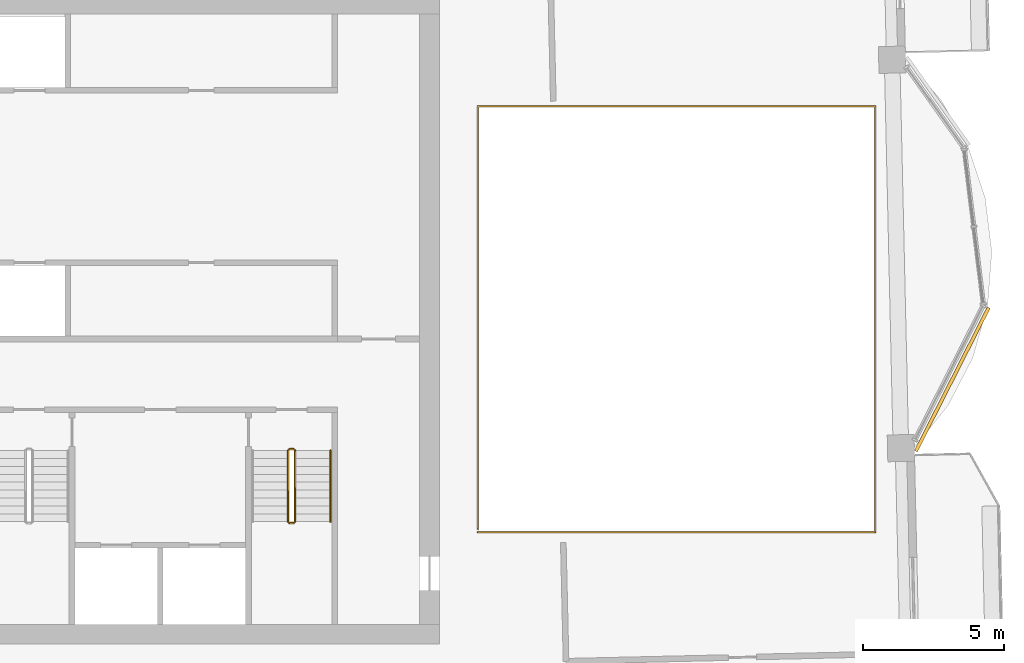
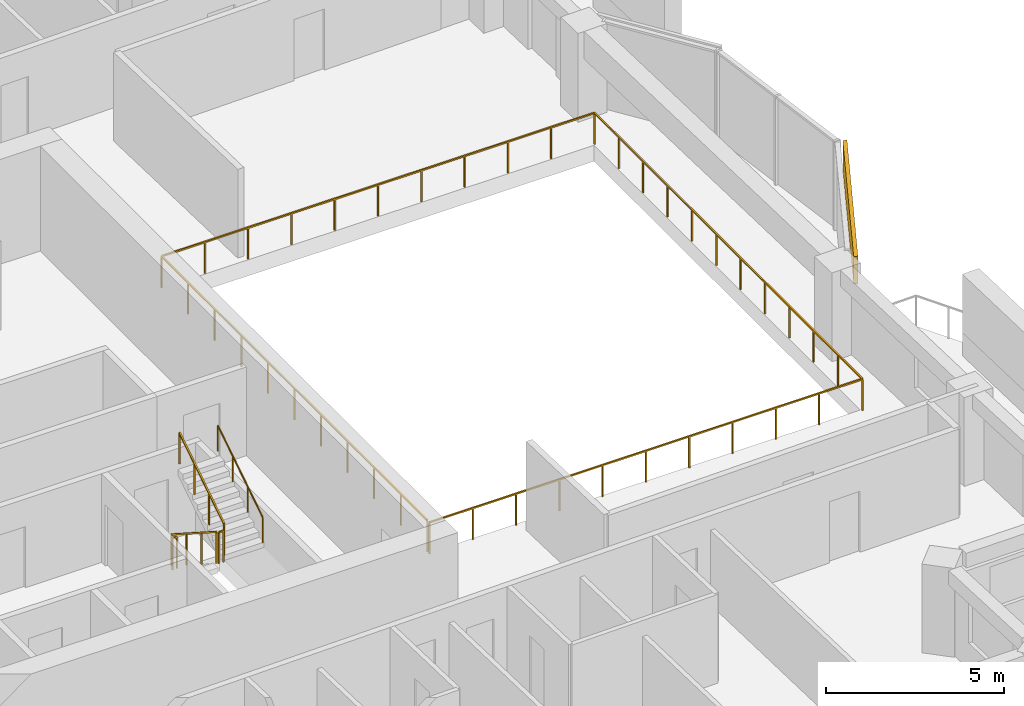
# One storey, part 17 of 18: 6 railings, 1 covering.
"""IFC4 building model written with IfcOpenShell, lengths in metres."""

from ifc_helpers import new_model, si_unit, direction, frame, frame_2d, origin, origin_2d, place, context, subcontext, project, spatial, rectangle, circle, extrude, material, layer, layer_set, type_object, element, save


model = new_model("IFC4")

# Units and contexts
model_context = context("Model", 3, precision=1e-05, world=origin(), true_north=direction((0.0, 1.0)))
body_context = subcontext(model_context, "Body", "Model", "MODEL_VIEW")
ifc_project = project(units=[si_unit("LENGTHUNIT", "METRE"), si_unit("AREAUNIT", "SQUARE_METRE"), si_unit("VOLUMEUNIT", "CUBIC_METRE"), si_unit("PLANEANGLEUNIT", "RADIAN"), si_unit("MASSUNIT", "GRAM", prefix="KILO")], contexts=[model_context])

# Site, building, storey
site_placement = place(None, origin())
site = spatial("IfcSite", under=ifc_project, at=site_placement, CompositionType="ELEMENT")
building_placement = place(site_placement, origin())
building = spatial("IfcBuilding", under=site, at=building_placement, Name="Mangrove Gate Tower", CompositionType="ELEMENT")
storey_placement = place(building_placement, frame((0.0, 0.0, 287.10009765625)))
storey = spatial("IfcBuildingStorey", under=building, at=storey_placement, Name="L73", CompositionType="ELEMENT", Elevation=287.10009765625)

# Railings
ifc_material_1 = material(Name="Stainless steel grade 316 with laminated glass infill", Category="steel")
railing_type_1 = type_object("IfcRailingType", Name="Balcony guard 1100", PredefinedType="GUARDRAIL", material=ifc_material_1)
railing_1_placement = place(storey_placement, frame((15.860107421875, -7.5400390625, 0.0)))
element("IfcRailing", 1, at=railing_1_placement, inside=storey, type_object=railing_type_1, Name="GUARD L73 atrium", PredefinedType="GUARDRAIL", context=body_context, shape_type="SweptSolid", body=[
    extrude(rectangle(XDim=0.048095703125, YDim=0.048095703125, at=origin_2d()), frame((0.0, 0.0, 1.076171875), z_axis=(1.0, 0.0, 0.0), x_axis=(0.0, 1.0, 0.0)), (0.0, 0.0, 1.0), 14.06982421875),
    extrude(rectangle(XDim=0.048095703125, YDim=0.048095703125, at=origin_2d()), frame((14.06982421875, 0.0, 1.076171875), z_axis=(0.0, 1.0, 0.0), x_axis=(-1.0, 0.0, 0.0)), (0.0, 0.0, 1.0), 15.080078125),
    extrude(rectangle(XDim=0.048095703125, YDim=0.048095703125, at=origin_2d()), frame((14.06982421875, 15.080078125, 1.076171875), z_axis=(-1.0, 0.0, 0.0), x_axis=(0.0, -1.0, 0.0)), (0.0, 0.0, 1.0), 14.06982421875),
    extrude(rectangle(XDim=0.048095703125, YDim=0.048095703125, at=origin_2d()), frame((0.0, 15.080078125, 1.076171875), z_axis=(0.0, -1.0, 0.0), x_axis=(1.0, 0.0, 0.0)), (0.0, 0.0, 1.0), 14.9599609375),
    extrude(rectangle(XDim=0.0419921875, YDim=0.0419921875, at=origin_2d()), origin(), (0.0, 0.0, 1.0), 1.052001953125),
    extrude(rectangle(XDim=0.0419921875, YDim=0.0419921875, at=origin_2d()), frame((1.406982421875, 0.0, 0.0)), (0.0, 0.0, 1.0), 1.052001953125),
    extrude(rectangle(XDim=0.0419921875, YDim=0.0419921875, at=origin_2d()), frame((2.81396484375, 0.0, 0.0)), (0.0, 0.0, 1.0), 1.052001953125),
    extrude(rectangle(XDim=0.0419921875, YDim=0.0419921875, at=origin_2d()), frame((4.220947265625, 0.0, 0.0)), (0.0, 0.0, 1.0), 1.052001953125),
    extrude(rectangle(XDim=0.0419921875, YDim=0.0419921875, at=origin_2d()), frame((5.6279296875, 0.0, 0.0)), (0.0, 0.0, 1.0), 1.052001953125),
    extrude(rectangle(XDim=0.0419921875, YDim=0.0419921875, at=origin_2d()), frame((7.034912109375, 0.0, 0.0)), (0.0, 0.0, 1.0), 1.052001953125),
    extrude(rectangle(XDim=0.0419921875, YDim=0.0419921875, at=origin_2d()), frame((8.44189453125, 0.0, 0.0)), (0.0, 0.0, 1.0), 1.052001953125),
    extrude(rectangle(XDim=0.0419921875, YDim=0.0419921875, at=origin_2d()), frame((9.848876953125, 0.0, 0.0)), (0.0, 0.0, 1.0), 1.052001953125),
    extrude(rectangle(XDim=0.0419921875, YDim=0.0419921875, at=origin_2d()), frame((11.255859375, 0.0, 0.0)), (0.0, 0.0, 1.0), 1.052001953125),
    extrude(rectangle(XDim=0.0419921875, YDim=0.0419921875, at=origin_2d()), frame((12.662841796875, 0.0, 0.0)), (0.0, 0.0, 1.0), 1.052001953125),
    extrude(rectangle(XDim=0.0419921875, YDim=0.0419921875, at=origin_2d()), frame((14.06982421875, 0.0, 0.0)), (0.0, 0.0, 1.0), 1.052001953125),
    extrude(rectangle(XDim=0.0419921875, YDim=0.0419921875, at=origin_2d()), frame((14.06982421875, 1.370849609375, 0.0)), (0.0, 0.0, 1.0), 1.052001953125),
    extrude(rectangle(XDim=0.0419921875, YDim=0.0419921875, at=origin_2d()), frame((14.06982421875, 2.741943359375, 0.0)), (0.0, 0.0, 1.0), 1.052001953125),
    extrude(rectangle(XDim=0.0419921875, YDim=0.0419921875, at=origin_2d()), frame((14.06982421875, 4.11279296875, 0.0)), (0.0, 0.0, 1.0), 1.052001953125),
    extrude(rectangle(XDim=0.0419921875, YDim=0.0419921875, at=origin_2d()), frame((14.06982421875, 5.483642578125, 0.0)), (0.0, 0.0, 1.0), 1.052001953125),
    extrude(rectangle(XDim=0.0419921875, YDim=0.0419921875, at=origin_2d()), frame((14.06982421875, 6.8544921875, 0.0)), (0.0, 0.0, 1.0), 1.052001953125),
    extrude(rectangle(XDim=0.0419921875, YDim=0.0419921875, at=origin_2d()), frame((14.06982421875, 8.2255859375, 0.0)), (0.0, 0.0, 1.0), 1.052001953125),
    extrude(rectangle(XDim=0.0419921875, YDim=0.0419921875, at=origin_2d()), frame((14.06982421875, 9.596435546875, 0.0)), (0.0, 0.0, 1.0), 1.052001953125),
    extrude(rectangle(XDim=0.0419921875, YDim=0.0419921875, at=origin_2d()), frame((14.06982421875, 10.96728515625, 0.0)), (0.0, 0.0, 1.0), 1.052001953125),
    extrude(rectangle(XDim=0.0419921875, YDim=0.0419921875, at=origin_2d()), frame((14.06982421875, 12.338134765625, 0.0)), (0.0, 0.0, 1.0), 1.052001953125),
    extrude(rectangle(XDim=0.0419921875, YDim=0.0419921875, at=origin_2d()), frame((14.06982421875, 13.709228515625, 0.0)), (0.0, 0.0, 1.0), 1.052001953125),
    extrude(rectangle(XDim=0.0419921875, YDim=0.0419921875, at=origin_2d()), frame((14.06982421875, 15.080078125, 0.0)), (0.0, 0.0, 1.0), 1.052001953125),
    extrude(rectangle(XDim=0.0419921875, YDim=0.0419921875, at=origin_2d()), frame((12.662841796875, 15.080078125, 0.0)), (0.0, 0.0, 1.0), 1.052001953125),
    extrude(rectangle(XDim=0.0419921875, YDim=0.0419921875, at=origin_2d()), frame((11.255859375, 15.080078125, 0.0)), (0.0, 0.0, 1.0), 1.052001953125),
    extrude(rectangle(XDim=0.0419921875, YDim=0.0419921875, at=origin_2d()), frame((9.848876953125, 15.080078125, 0.0)), (0.0, 0.0, 1.0), 1.052001953125),
    extrude(rectangle(XDim=0.0419921875, YDim=0.0419921875, at=origin_2d()), frame((8.44189453125, 15.080078125, 0.0)), (0.0, 0.0, 1.0), 1.052001953125),
    extrude(rectangle(XDim=0.0419921875, YDim=0.0419921875, at=origin_2d()), frame((7.034912109375, 15.080078125, 0.0)), (0.0, 0.0, 1.0), 1.052001953125),
    extrude(rectangle(XDim=0.0419921875, YDim=0.0419921875, at=origin_2d()), frame((5.6279296875, 15.080078125, 0.0)), (0.0, 0.0, 1.0), 1.052001953125),
    extrude(rectangle(XDim=0.0419921875, YDim=0.0419921875, at=origin_2d()), frame((4.220947265625, 15.080078125, 0.0)), (0.0, 0.0, 1.0), 1.052001953125),
    extrude(rectangle(XDim=0.0419921875, YDim=0.0419921875, at=origin_2d()), frame((2.81396484375, 15.080078125, 0.0)), (0.0, 0.0, 1.0), 1.052001953125),
    extrude(rectangle(XDim=0.0419921875, YDim=0.0419921875, at=origin_2d()), frame((1.406982421875, 15.080078125, 0.0)), (0.0, 0.0, 1.0), 1.052001953125),
    extrude(rectangle(XDim=0.0419921875, YDim=0.0419921875, at=origin_2d()), frame((0.0, 15.080078125, 0.0)), (0.0, 0.0, 1.0), 1.052001953125),
    extrude(rectangle(XDim=0.0419921875, YDim=0.0419921875, at=origin_2d()), frame((0.0, 13.583984375, 0.0)), (0.0, 0.0, 1.0), 1.052001953125),
    extrude(rectangle(XDim=0.0419921875, YDim=0.0419921875, at=origin_2d()), frame((0.0, 12.088134765625, 0.0)), (0.0, 0.0, 1.0), 1.052001953125),
    extrude(rectangle(XDim=0.0419921875, YDim=0.0419921875, at=origin_2d()), frame((0.0, 10.592041015625, 0.0)), (0.0, 0.0, 1.0), 1.052001953125),
    extrude(rectangle(XDim=0.0419921875, YDim=0.0419921875, at=origin_2d()), frame((0.0, 9.09619140625, 0.0)), (0.0, 0.0, 1.0), 1.052001953125),
    extrude(rectangle(XDim=0.0419921875, YDim=0.0419921875, at=origin_2d()), frame((0.0, 7.60009765625, 0.0)), (0.0, 0.0, 1.0), 1.052001953125),
    extrude(rectangle(XDim=0.0419921875, YDim=0.0419921875, at=origin_2d()), frame((0.0, 6.10400390625, 0.0)), (0.0, 0.0, 1.0), 1.052001953125),
    extrude(rectangle(XDim=0.0419921875, YDim=0.0419921875, at=origin_2d()), frame((0.0, 4.608154296875, 0.0)), (0.0, 0.0, 1.0), 1.052001953125),
    extrude(rectangle(XDim=0.0419921875, YDim=0.0419921875, at=origin_2d()), frame((0.0, 3.112060546875, 0.0)), (0.0, 0.0, 1.0), 1.052001953125),
    extrude(rectangle(XDim=0.0419921875, YDim=0.0419921875, at=origin_2d()), frame((0.0, 1.6162109375, 0.0)), (0.0, 0.0, 1.0), 1.052001953125),
    extrude(rectangle(XDim=0.0419921875, YDim=0.0419921875, at=origin_2d()), frame((0.0, 0.1201171875, 0.0)), (0.0, 0.0, 1.0), 1.052001953125),
])
ifc_material_2 = material(Name="Stainless steel 316", Category="steel")
railing_type_2 = type_object("IfcRailingType", Name="Core stair guard 1100", PredefinedType="GUARDRAIL", material=ifc_material_2)
railing_2_placement = place(storey_placement, frame((9.14990234375, -4.64990234375, 0.179931640625)))
element("IfcRailing", 2, at=railing_2_placement, inside=storey, type_object=railing_type_2, Name="L73 ST3 stair guard 1", PredefinedType="GUARDRAIL", context=body_context, shape_type="SweptSolid", body=[
    extrude(rectangle(XDim=0.048095703125, YDim=0.048095703125, at=origin_2d()), frame((0.0, 0.0, 1.076171875), z_axis=(0.0, -0.841199657755, 0.540724639528), x_axis=(1.0, 0.0, 0.0)), (0.0, 0.0, 1.0), 2.995849609375),
    extrude(rectangle(XDim=0.0419921875, YDim=0.0419921875, at=origin_2d()), origin(), (0.0, 0.0, 1.0), 1.052001953125),
    extrude(rectangle(XDim=0.0419921875, YDim=0.0419921875, at=origin_2d()), frame((0.0, -0.840087890625, 0.5400390625)), (0.0, 0.0, 1.0), 1.052001953125),
    extrude(rectangle(XDim=0.0419921875, YDim=0.0419921875, at=origin_2d()), frame((0.0, -1.679931640625, 1.079833984375)), (0.0, 0.0, 1.0), 1.052001953125),
    extrude(rectangle(XDim=0.0419921875, YDim=0.0419921875, at=origin_2d()), frame((0.0, -2.52001953125, 1.619873046875)), (0.0, 0.0, 1.0), 1.052001953125),
])
railing_3_placement = place(storey_placement, frame((9.199951171875, -7.219970703125, 1.7998046875)))
element("IfcRailing", 3, at=railing_3_placement, inside=storey, type_object=railing_type_2, Name="L73 ST3 stair guard 2", PredefinedType="GUARDRAIL", context=body_context, shape_type="SweptSolid", body=[
    extrude(rectangle(XDim=0.048095703125, YDim=0.048095703125, at=origin_2d()), frame((0.0, 0.0, 1.076171875), z_axis=(1.0, 0.0, 0.0), x_axis=(0.0, 1.0, 0.0)), (0.0, 0.0, 1.0), 0.150146484375),
    extrude(rectangle(XDim=0.0419921875, YDim=0.0419921875, at=origin_2d()), origin(), (0.0, 0.0, 1.0), 1.052001953125),
    extrude(rectangle(XDim=0.0419921875, YDim=0.0419921875, at=origin_2d()), frame((0.150146484375, 0.0, 0.0)), (0.0, 0.0, 1.0), 1.052001953125),
])
railing_4_placement = place(storey_placement, frame((9.39990234375, -7.169921875, 1.97998046875)))
element("IfcRailing", 4, at=railing_4_placement, inside=storey, type_object=railing_type_2, Name="L73 ST3 stair guard 3", PredefinedType="GUARDRAIL", context=body_context, shape_type="SweptSolid", body=[
    extrude(rectangle(XDim=0.048095703125, YDim=0.048095703125, at=origin_2d()), frame((0.0, 0.0, 1.076171875), z_axis=(0.0, 0.841199657755, 0.540724639528), x_axis=(-1.0, 0.0, 0.0)), (0.0, 0.0, 1.0), 2.995849609375),
    extrude(rectangle(XDim=0.0419921875, YDim=0.0419921875, at=origin_2d()), origin(), (0.0, 0.0, 1.0), 1.052001953125),
    extrude(rectangle(XDim=0.0419921875, YDim=0.0419921875, at=origin_2d()), frame((0.0, 0.840087890625, 0.5400390625)), (0.0, 0.0, 1.0), 1.052001953125),
    extrude(rectangle(XDim=0.0419921875, YDim=0.0419921875, at=origin_2d()), frame((0.0, 1.679931640625, 1.079833984375)), (0.0, 0.0, 1.0), 1.052001953125),
    extrude(rectangle(XDim=0.0419921875, YDim=0.0419921875, at=origin_2d()), frame((0.0, 2.52001953125, 1.619873046875)), (0.0, 0.0, 1.0), 1.052001953125),
])
railing_5_placement = place(storey_placement, frame((9.199951171875, -4.60009765625, 0.0)))
element("IfcRailing", 5, at=railing_5_placement, inside=storey, type_object=railing_type_2, Name="L73 ST3 stair guard 4", PredefinedType="GUARDRAIL", context=body_context, shape_type="SweptSolid", body=[
    extrude(rectangle(XDim=0.048095703125, YDim=0.048095703125, at=origin_2d()), frame((0.0, 0.0, 1.076171875), z_axis=(1.0, 0.0, 0.0), x_axis=(0.0, 1.0, 0.0)), (0.0, 0.0, 1.0), 0.150146484375),
    extrude(rectangle(XDim=0.0419921875, YDim=0.0419921875, at=origin_2d()), origin(), (0.0, 0.0, 1.0), 1.052001953125),
    extrude(rectangle(XDim=0.0419921875, YDim=0.0419921875, at=origin_2d()), frame((0.150146484375, 0.0, 0.0)), (0.0, 0.0, 1.0), 1.052001953125),
])
ifc_material_3 = material(Name="Stainless steel 316", Category="steel")
railing_type_3 = type_object("IfcRailingType", Name="Core stair handrail 900", PredefinedType="HANDRAIL", material=ifc_material_3)
railing_6_placement = place(storey_placement, frame((10.64990234375, -7.169921875, 1.97998046875)))
element("IfcRailing", 6, at=railing_6_placement, inside=storey, type_object=railing_type_3, Name="L73 ST3 stair handrail 2", PredefinedType="HANDRAIL", context=body_context, shape_type="SweptSolid", body=[
    extrude(circle(Radius=0.02392578125, at=origin_2d()), frame((0.0, 0.0, 0.8759765625), z_axis=(0.0, 0.841199657755, 0.540724639528), x_axis=(-1.0, 0.0, 0.0)), (0.0, 0.0, 1.0), 2.995849609375),
    extrude(circle(Radius=0.02099609375, at=origin_2d()), origin(), (0.0, 0.0, 1.0), 0.851806640625),
    extrude(circle(Radius=0.02099609375, at=origin_2d()), frame((0.0, 0.840087890625, 0.5400390625)), (0.0, 0.0, 1.0), 0.851806640625),
    extrude(circle(Radius=0.02099609375, at=origin_2d()), frame((0.0, 1.679931640625, 1.079833984375)), (0.0, 0.0, 1.0), 0.851806640625),
    extrude(circle(Radius=0.02099609375, at=origin_2d()), frame((0.0, 2.52001953125, 1.619873046875)), (0.0, 0.0, 1.0), 0.851806640625),
])

# Covering
ifc_material_4 = material(Name="Limestone", Category="masonry")
ifc_layer_1 = layer(ifc_material_4, 0.0400390625, Name="Limestone cladding")
ifc_material_5 = material(Name="Stainless steel anchors and cavity", Category="steel")
ifc_layer_2 = layer(ifc_material_5, 0.080078125, Name="Fixing cavity")
ifc_layer_set = layer_set([ifc_layer_1, ifc_layer_2], Name="Joint fascia cladding 120")
covering_type = type_object("IfcCoveringType", Name="Joint fascia cladding 120", PredefinedType="CLADDING", material=ifc_layer_set)
covering_placement = place(storey_placement, frame((31.36962890625, -4.674560546875, 2.099853515625), z_axis=(0.0, 0.0, 1.0), x_axis=(0.452616431896, 0.891705313194, 0.0)))
element("IfcCovering", 7, at=covering_placement, inside=storey, type_object=covering_type, Name="STONE FASCIA L73 E1.L1", PredefinedType="CLADDING", context=body_context, shape_type="SweptSolid", body=[
    extrude(rectangle(XDim=5.703125, YDim=0.1201171875, at=frame_2d((2.8515625, 0.0))), origin(), (0.0, 0.0, 1.0), 0.949951171875),
])

save(model, "model.ifc")
